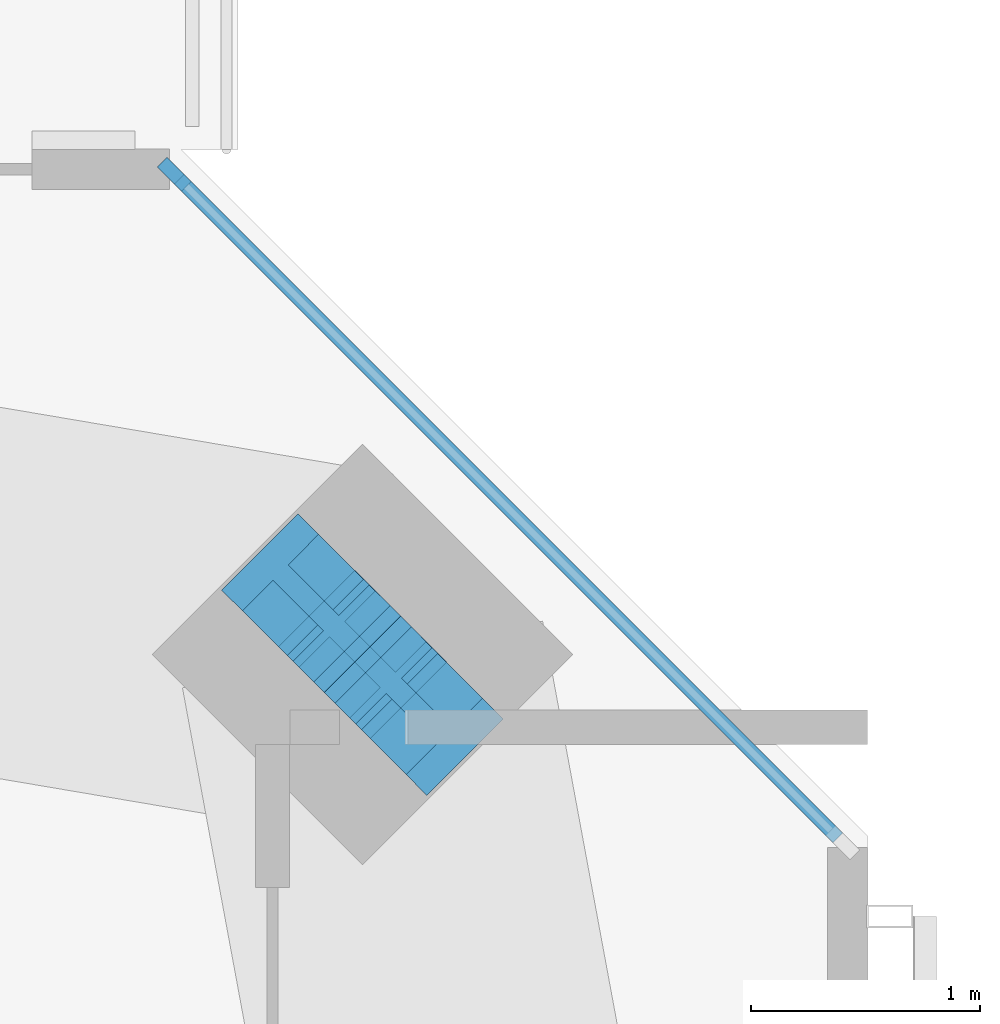
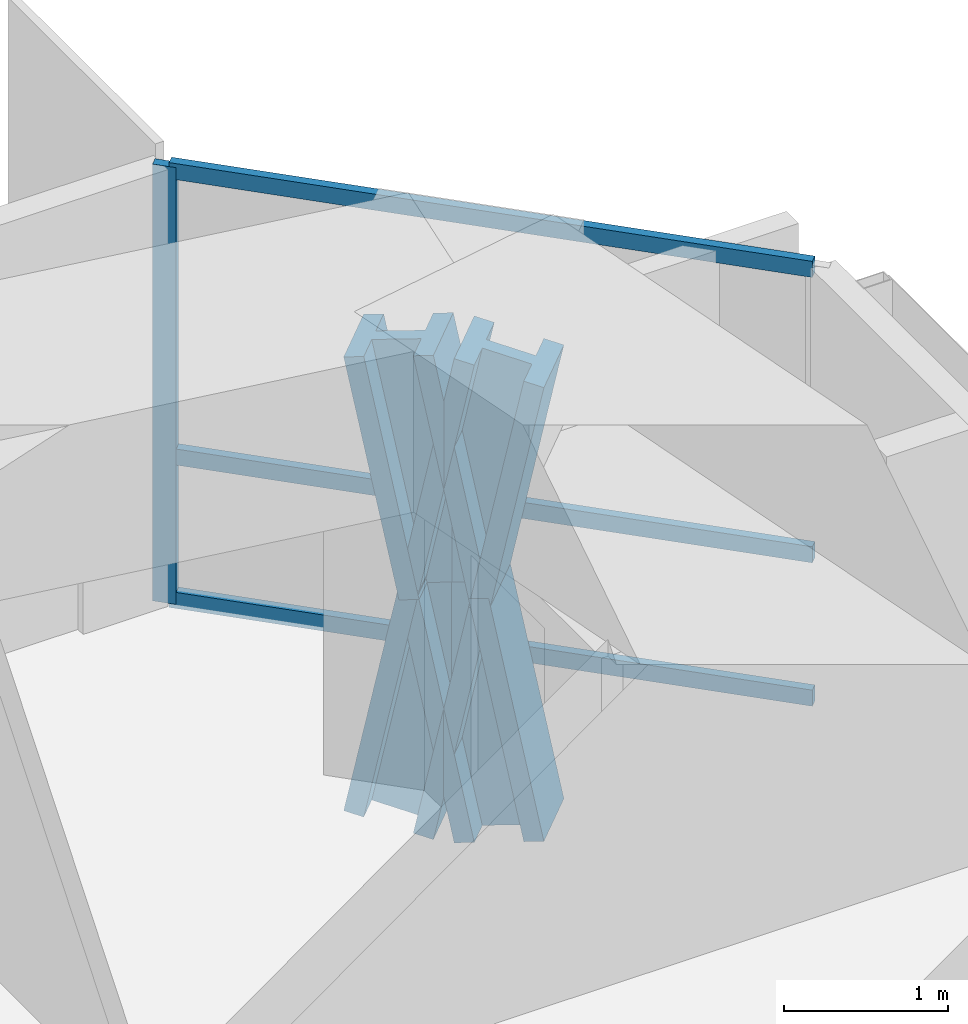
# One storey, part 11 of 18: 8 members, 1 element without a shape of its own.
"""IFC4 building model written with IfcOpenShell, lengths in metres."""

from ifc_helpers import new_model, si_unit, direction, frame, origin, origin_2d, place, context, subcontext, project, spatial, rectangle, i_section, extrude, material, material_profile, profile_set, type_object, element, aggregate, save


model = new_model("IFC4")

# Units and contexts
model_context = context("Model", 3, precision=1e-05, world=origin(), true_north=direction((0.0, 1.0)))
body_context = subcontext(model_context, "Body", "Model", "MODEL_VIEW")
ifc_project = project(units=[si_unit("LENGTHUNIT", "METRE"), si_unit("AREAUNIT", "SQUARE_METRE"), si_unit("VOLUMEUNIT", "CUBIC_METRE"), si_unit("PLANEANGLEUNIT", "RADIAN"), si_unit("MASSUNIT", "GRAM", prefix="KILO")], contexts=[model_context])

# Site, building, storey
site_placement = place(None, origin())
site = spatial("IfcSite", under=ifc_project, at=site_placement, CompositionType="ELEMENT")
building_placement = place(site_placement, origin())
building = spatial("IfcBuilding", under=site, at=building_placement, Name="Jalousie Tower", CompositionType="ELEMENT")
storey_placement = place(building_placement, frame((0.0, 0.0, 249.449951171875)))
storey = spatial("IfcBuildingStorey", under=building, at=storey_placement, Name="L68", CompositionType="ELEMENT", Elevation=249.449951171875)

# Curtain wall, members
ifc_material_1 = material(Name="Aluminium curtain wall", Category="aluminium")
curtain_wall_type = type_object("IfcCurtainWallType", Name="CORNER WINDOW WALL", PredefinedType="USERDEFINED", material=ifc_material_1)
curtain_wall_placement = place(storey_placement, origin())
curtain_wall = element("IfcCurtainWall", 1, at=curtain_wall_placement, inside=storey, type_object=curtain_wall_type, Name="Corner Window Wall L68 4", ObjectType="CORNER WINDOW WALL", PredefinedType="USERDEFINED")
ifc_material_2 = material(Name="Aluminium mullion", Category="aluminium")
ifc_material_profile_1 = material_profile(ifc_material_2, rectangle(XDim=0.06005859375, YDim=0.14990234375, at=origin_2d()), Name="MULLION 60x150")
ifc_profile_set_1 = profile_set([ifc_material_profile_1], Name="Aluminium mullion")
member_type_1 = type_object("IfcMemberType", Name="CORNER WINDOW WALL MULLION", PredefinedType="MULLION", material=ifc_profile_set_1)
member_1_placement = place(storey_placement, frame((53.469970703125, 33.891357421875, 0.0), z_axis=(0.0, 0.0, 1.0), x_axis=(-0.707106781187, -0.707106781187, 0.0)))
member_1 = element("IfcMember", 2, at=member_1_placement, type_object=member_type_1, Name="CW-C mullion 2", PredefinedType="MULLION", context=body_context, shape_type="SweptSolid", body=[
    extrude(rectangle(XDim=0.06005859375, YDim=0.14990234375, at=origin_2d()), origin(), (0.0, 0.0, 1.0), 3.260009765625),
])
ifc_material_3 = material(Name="Aluminium transom", Category="aluminium")
ifc_material_profile_2 = material_profile(ifc_material_3, rectangle(XDim=0.06005859375, YDim=0.1201171875, at=origin_2d()), Name="TRANSOM 60x120")
ifc_profile_set_2 = profile_set([ifc_material_profile_2], Name="Aluminium transom")
member_type_2 = type_object("IfcMemberType", Name="CORNER WINDOW WALL TRANSOM", PredefinedType="USERDEFINED", material=ifc_profile_set_2)
member_2_placement = place(storey_placement, frame((56.3701171875, 30.9912109375, 0.030029296875), z_axis=(-0.707106781187, 0.707106781187, 0.0), x_axis=(-0.707106781187, -0.707106781187, 0.0)))
member_2 = element("IfcMember", 3, at=member_2_placement, type_object=member_type_2, Name="CW-C transom 1.1", ObjectType="TRANSOM", PredefinedType="USERDEFINED", context=body_context, shape_type="SweptSolid", body=[
    extrude(rectangle(XDim=0.06005859375, YDim=0.1201171875, at=origin_2d()), origin(), (0.0, 0.0, 1.0), 4.0712890625),
])
member_3_placement = place(storey_placement, frame((56.3701171875, 30.9912109375, 1.10009765625), z_axis=(-0.707106781187, 0.707106781187, 0.0), x_axis=(-0.707106781187, -0.707106781187, 0.0)))
member_3 = element("IfcMember", 4, at=member_3_placement, type_object=member_type_2, Name="CW-C transom 1.2", ObjectType="TRANSOM", PredefinedType="USERDEFINED", context=body_context, shape_type="SweptSolid", body=[
    extrude(rectangle(XDim=0.06005859375, YDim=0.1201171875, at=origin_2d()), origin(), (0.0, 0.0, 1.0), 4.0712890625),
])
member_4_placement = place(storey_placement, frame((56.3701171875, 30.9912109375, 3.22998046875), z_axis=(-0.707106781187, 0.707106781187, 0.0), x_axis=(-0.707106781187, -0.707106781187, 0.0)))
member_4 = element("IfcMember", 5, at=member_4_placement, type_object=member_type_2, Name="CW-C transom 1.3", ObjectType="TRANSOM", PredefinedType="USERDEFINED", context=body_context, shape_type="SweptSolid", body=[
    extrude(rectangle(XDim=0.06005859375, YDim=0.1201171875, at=origin_2d()), origin(), (0.0, 0.0, 1.0), 4.0712890625),
])
aggregate(curtain_wall, [member_1, member_2, member_3, member_4])

# Members
ifc_material_4 = material(Name="Steel ASTM A992 Grade 50", Category="steel")
ifc_material_profile_3 = material_profile(ifc_material_4, i_section(OverallWidth=0.472412109375, OverallDepth=0.5791015625, WebThickness=0.094970703125, FlangeThickness=0.1298828125, at=origin_2d()), Name="W14X808")
ifc_profile_set_3 = profile_set([ifc_material_profile_3], Name="Steel ASTM A992 Grade 50")
member_type_3 = type_object("IfcMemberType", Name="PERIMETER BRACE W14X808", PredefinedType="BRACE", material=ifc_profile_set_3)
for number, where, z_axis, x_axis, name in (
    (6, (54.540283203125, 31.54541015625, -0.599853515625), (-0.138579250682, 0.138716051522, 0.980588419435), (-0.707455539091, -0.706757851183, 0.0), "Perimeter brace 08 L68 part 1"),
    (7, (54.29296875, 31.79296875, 1.150146484375), (-0.138716051522, 0.138579250682, 0.980588419435), (-0.706757851183, -0.707455539091, 0.0), "Perimeter brace 08 L68 part 2"),
    (8, (54.04541015625, 32.040283203125, -0.599853515625), (0.138716051522, -0.138579250682, 0.980588419435), (0.706757851183, 0.707455539091, 0.0), "Perimeter brace 08 L68 part 3"),
    (9, (54.29296875, 31.79296875, 1.150146484375), (0.138579250682, -0.138716051522, 0.980588419435), (0.707455539091, 0.706757851183, 0.0), "Perimeter brace 08 L68 part 4"),
):
    element("IfcMember", number, at=place(storey_placement, frame(where, z_axis=z_axis, x_axis=x_axis)), inside=storey, type_object=member_type_3, Name=name, PredefinedType="BRACE", context=body_context, shape_type="SweptSolid", body=[
        extrude(i_section(OverallWidth=0.472412109375, OverallDepth=0.5791015625, WebThickness=0.094970703125, FlangeThickness=0.1298828125, at=origin_2d()), origin(), (0.0, 0.0, 1.0), 1.78466796875),
    ])

save(model, "model.ifc")
